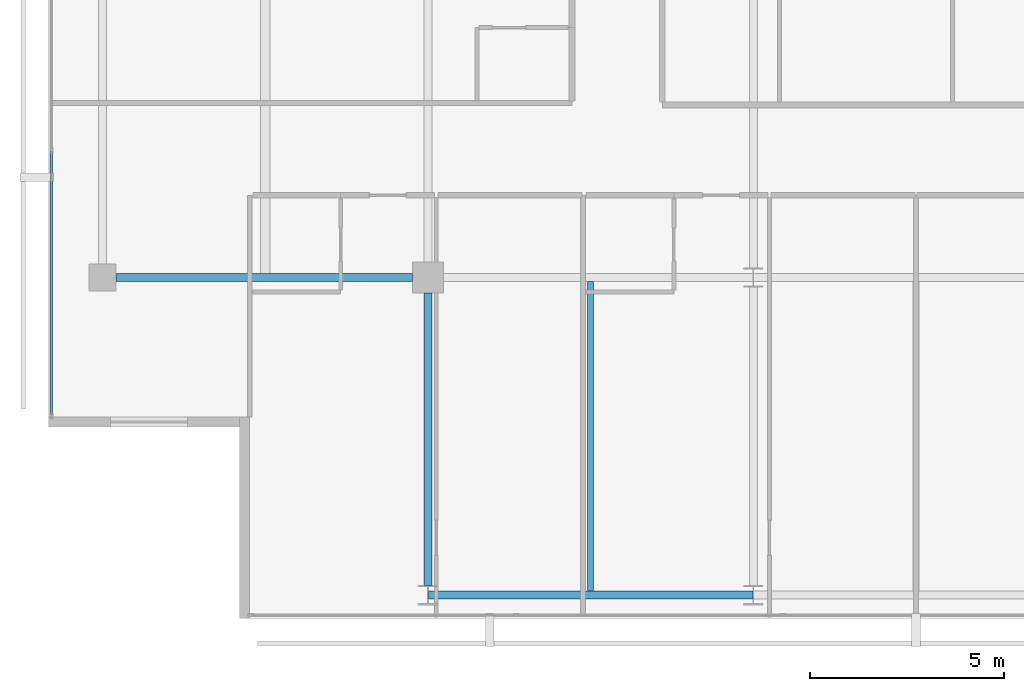
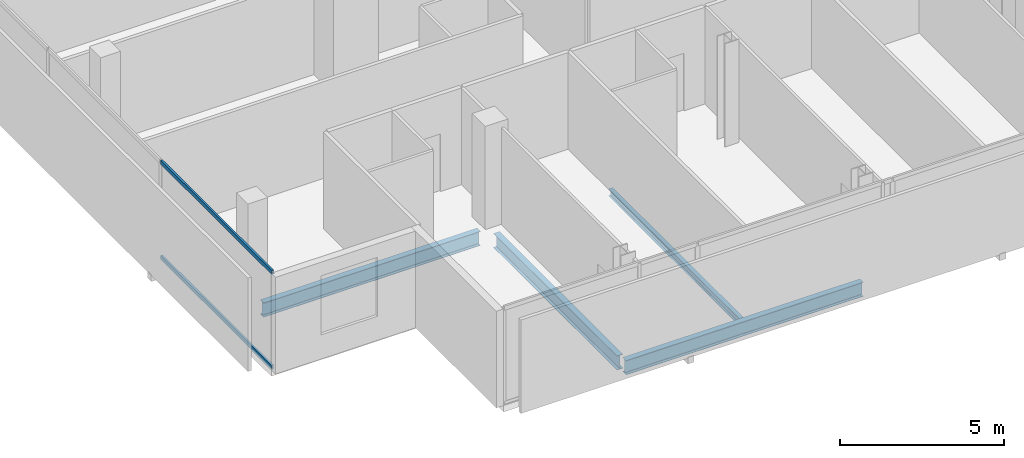
# One storey, part 3 of 26: 4 beams, 2 members, 1 element without a shape of its own.
"""IFC4 building model written with IfcOpenShell, lengths in metres."""

from ifc_helpers import new_model, si_unit, direction, frame, origin, origin_2d, place, context, subcontext, project, spatial, hollow_rectangle, i_section, extrude, material, layer, layer_set, material_profile, profile_set, type_object, element, aggregate, save


model = new_model("IFC4")

# Units and contexts
model_context = context("Model", 3, precision=1e-05, world=origin(), true_north=direction((0.0, 1.0)))
body_context = subcontext(model_context, "Body", "Model", "MODEL_VIEW")
ifc_project = project(units=[si_unit("LENGTHUNIT", "METRE"), si_unit("AREAUNIT", "SQUARE_METRE"), si_unit("VOLUMEUNIT", "CUBIC_METRE"), si_unit("PLANEANGLEUNIT", "RADIAN"), si_unit("MASSUNIT", "GRAM", prefix="KILO")], contexts=[model_context])

# Site, building, storey
site_placement = place(None, origin())
site = spatial("IfcSite", under=ifc_project, at=site_placement, CompositionType="ELEMENT")
building_placement = place(site_placement, origin())
building = spatial("IfcBuilding", under=site, at=building_placement, Name="Maruvema Waterfront Hotel and Observation Tower", CompositionType="ELEMENT")
storey_placement = place(building_placement, frame((0.0, 0.0, 254.800048828125)))
storey = spatial("IfcBuildingStorey", under=building, at=storey_placement, Name="L62", CompositionType="ELEMENT", Elevation=254.800048828125)

# Curtain wall, members
ifc_material_1 = material(Name="Anodised bronze aluminium and solar-control low-E IGU", Category="aluminium")
ifc_layer = layer(ifc_material_1, 0.159912109375, Name="Zone 3 Champagne Inner Thermal Curtain Wall System CW-04")
ifc_layer_set = layer_set([ifc_layer], Name="Anodised bronze aluminium and solar-control low-E IGU")
curtain_wall_type = type_object("IfcCurtainWallType", Name="Zone 3 Champagne Inner Thermal Curtain Wall System CW-04", PredefinedType="USERDEFINED", material=ifc_layer_set)
curtain_wall_placement = place(storey_placement, origin())
curtain_wall = element("IfcCurtainWall", 1, at=curtain_wall_placement, inside=storey, type_object=curtain_wall_type, Name="L62 Curtain Wall CW-L62-W", ObjectType="UNITISED CURTAIN WALL", PredefinedType="USERDEFINED")
ifc_material_2 = material(Name="Anodised architectural bronze aluminium", Category="aluminium")
ifc_material_profile_1 = material_profile(ifc_material_2, hollow_rectangle(XDim=0.070068359375, YDim=0.14990234375, WallThickness=0.00390625, at=origin_2d()), Name="ALU-T70x150")
ifc_profile_set_1 = profile_set([ifc_material_profile_1], Name="Anodised architectural bronze aluminium")
member_type = type_object("IfcMemberType", Name="Curtain Wall Horizontal Transom ALU-T70x150", PredefinedType="USERDEFINED", material=ifc_profile_set_1)
member_1_placement = place(storey_placement, frame((15.47998046875, 21.25, 0.030029296875), z_axis=(0.0, -1.0, 0.0), x_axis=(1.0, 0.0, 0.0)))
member_1 = element("IfcMember", 2, at=member_1_placement, type_object=member_type, Name="CW-04 transom 5.1", ObjectType="TRANSOM", PredefinedType="USERDEFINED", context=body_context, shape_type="SweptSolid", body=[
    extrude(hollow_rectangle(XDim=0.070068359375, YDim=0.14990234375, WallThickness=0.00390625, at=origin_2d()), origin(), (0.0, 0.0, 1.0), 6.7900390625),
])
member_2_placement = place(storey_placement, frame((15.47998046875, 21.25, 3.579833984375), z_axis=(0.0, -1.0, 0.0), x_axis=(1.0, 0.0, 0.0)))
member_2 = element("IfcMember", 3, at=member_2_placement, type_object=member_type, Name="CW-04 transom 5.2", ObjectType="TRANSOM", PredefinedType="USERDEFINED", context=body_context, shape_type="SweptSolid", body=[
    extrude(hollow_rectangle(XDim=0.070068359375, YDim=0.14990234375, WallThickness=0.00390625, at=origin_2d()), origin(), (0.0, 0.0, 1.0), 6.7900390625),
])
aggregate(curtain_wall, [member_1, member_2])

# Beams
ifc_material_3 = material(Name="Steel ASTM A572 Grade 50", Category="steel")
ifc_material_profile_2 = material_profile(ifc_material_3, i_section(OverallWidth=0.208984375, OverallDepth=0.532958984375, WebThickness=0.01025390625, FlangeThickness=0.015625, FilletRadius=0.014892578125, at=origin_2d()), Name="W530x92.0")
ifc_profile_set_2 = profile_set([ifc_material_profile_2], Name="Steel ASTM A572 Grade 50")
beam_type_1 = type_object("IfcBeamType", Name="Primary Floor Girder W530x92.0", PredefinedType="BEAM", material=ifc_profile_set_2)
beam_1_placement = place(storey_placement, frame((25.2109375, 9.800048828125, -0.506591796875), z_axis=(1.0, 0.0, 0.0), x_axis=(0.0, 1.0, 0.0)))
element("IfcBeam", 4, at=beam_1_placement, inside=storey, type_object=beam_type_1, Name="L62 Floor Girder EW-01", PredefinedType="BEAM", context=body_context, shape_type="SweptSolid", body=[
    extrude(i_section(OverallWidth=0.208984375, OverallDepth=0.532958984375, WebThickness=0.01025390625, FlangeThickness=0.015625, FilletRadius=0.014892578125, at=origin_2d()), origin(), (0.0, 0.0, 1.0), 8.378173828125),
])
beam_2_placement = place(storey_placement, frame((17.14990234375, 18.0, -0.506591796875), z_axis=(1.0, 0.0, 0.0), x_axis=(0.0, 1.0, 0.0)))
element("IfcBeam", 5, at=beam_2_placement, inside=storey, type_object=beam_type_1, Name="L62 Floor Girder EW-04", PredefinedType="BEAM", context=body_context, shape_type="SweptSolid", body=[
    extrude(i_section(OverallWidth=0.208984375, OverallDepth=0.532958984375, WebThickness=0.01025390625, FlangeThickness=0.015625, FilletRadius=0.014892578125, at=origin_2d()), origin(), (0.0, 0.0, 1.0), 7.650146484375),
])
beam_3_placement = place(storey_placement, frame((25.199951171875, 10.050048828125, -0.506591796875), z_axis=(0.0, 1.0, 0.0), x_axis=(-1.0, 0.0, 0.0)))
element("IfcBeam", 6, at=beam_3_placement, inside=storey, type_object=beam_type_1, Name="L62 Floor Girder NS-04", PredefinedType="BEAM", context=body_context, shape_type="SweptSolid", body=[
    extrude(i_section(OverallWidth=0.208984375, OverallDepth=0.532958984375, WebThickness=0.01025390625, FlangeThickness=0.015625, FilletRadius=0.014892578125, at=origin_2d()), origin(), (0.0, 0.0, 1.0), 7.550048828125),
])
ifc_material_4 = material(Name="Steel ASTM A572 Grade 50", Category="steel")
ifc_material_profile_3 = material_profile(ifc_material_4, i_section(OverallWidth=0.14794921875, OverallDepth=0.26611328125, WebThickness=0.007568359375, FlangeThickness=0.012939453125, FilletRadius=0.012939453125, at=origin_2d()), Name="W250x44.8")
ifc_profile_set_3 = profile_set([ifc_material_profile_3], Name="Steel ASTM A572 Grade 50")
beam_type_2 = type_object("IfcBeamType", Name="Secondary Floor Joist W250x44.8", PredefinedType="JOIST", material=ifc_profile_set_3)
beam_4_placement = place(storey_placement, frame((29.39990234375, 9.904541015625, -0.373046875), z_axis=(0.0, 1.0, 0.0), x_axis=(-1.0, 0.0, 0.0)))
element("IfcBeam", 7, at=beam_4_placement, inside=storey, type_object=beam_type_2, Name="L62 Secondary Floor Joist JS-04", PredefinedType="JOIST", context=body_context, shape_type="SweptSolid", body=[
    extrude(i_section(OverallWidth=0.14794921875, OverallDepth=0.26611328125, WebThickness=0.007568359375, FlangeThickness=0.012939453125, FilletRadius=0.012939453125, at=origin_2d()), origin(), (0.0, 0.0, 1.0), 7.990966796875),
])

save(model, "model.ifc")
